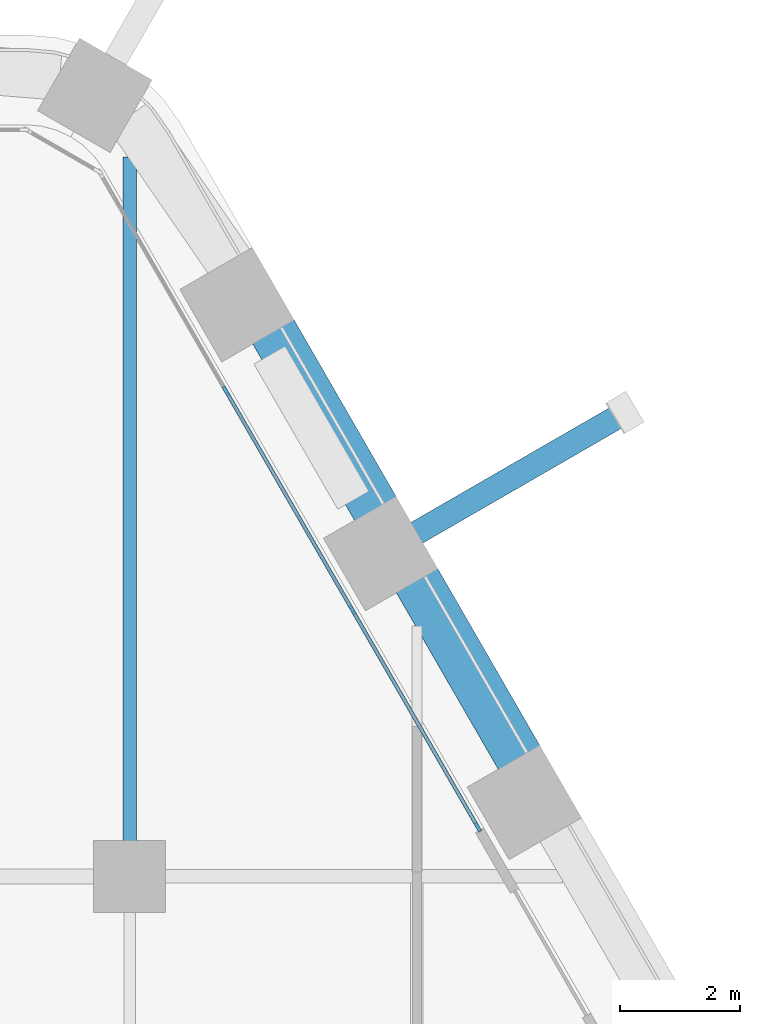
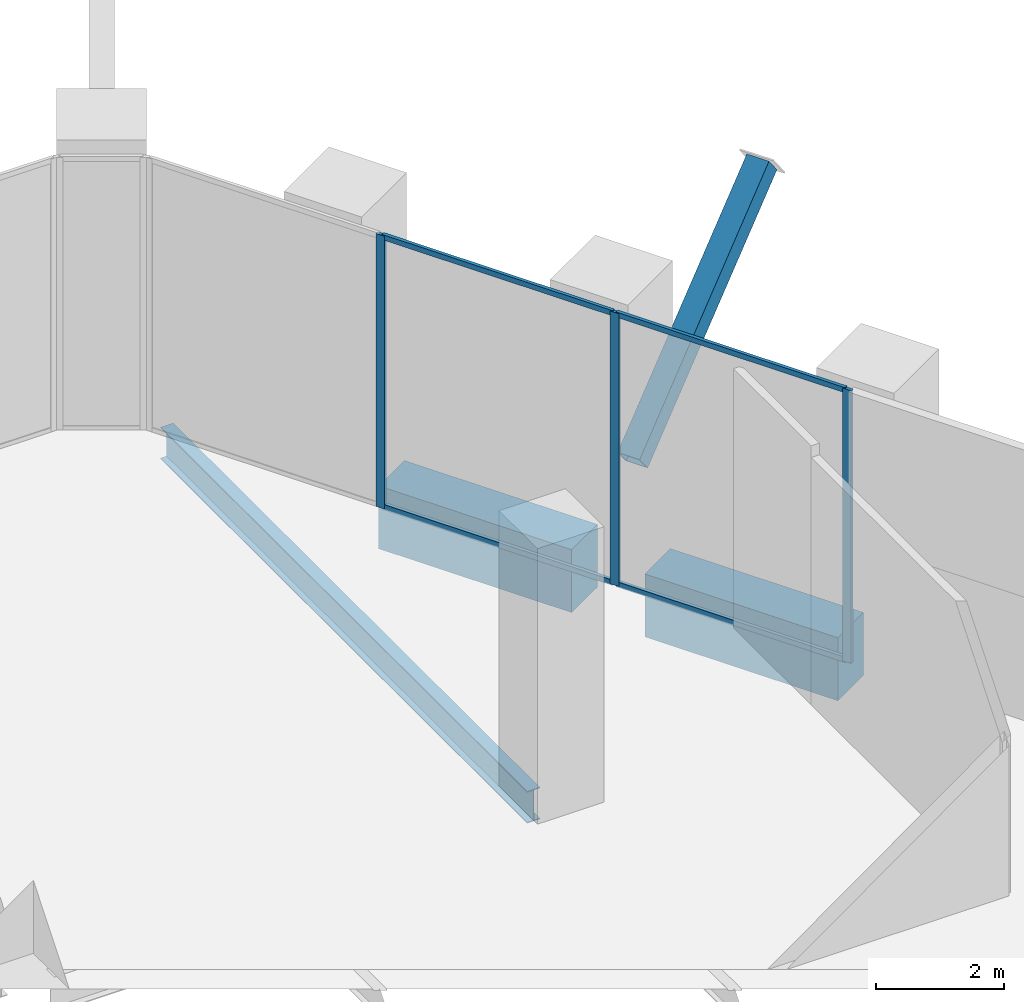
# One storey, part 11 of 29: 8 members, 3 beams, 1 element without a shape of its own.
"""IFC4 building model written with IfcOpenShell, lengths in metres."""

from ifc_helpers import new_model, si_unit, direction, frame, origin, origin_2d, place, context, subcontext, project, spatial, rectangle, hollow_rectangle, i_section, extrude, material, material_profile, profile_set, type_object, element, aggregate, save


model = new_model("IFC4")

# Units and contexts
model_context = context("Model", 3, precision=1e-05, world=origin(), true_north=direction((0.0, 1.0)))
body_context = subcontext(model_context, "Body", "Model", "MODEL_VIEW")
ifc_project = project(units=[si_unit("LENGTHUNIT", "METRE"), si_unit("AREAUNIT", "SQUARE_METRE"), si_unit("VOLUMEUNIT", "CUBIC_METRE"), si_unit("PLANEANGLEUNIT", "RADIAN"), si_unit("MASSUNIT", "GRAM", prefix="KILO")], contexts=[model_context])

# Site, building, storey
site_placement = place(None, origin())
site = spatial("IfcSite", under=ifc_project, at=site_placement, CompositionType="ELEMENT")
building_placement = place(site_placement, origin())
building = spatial("IfcBuilding", under=site, at=building_placement, Name="Kolab Exchange Tower", CompositionType="ELEMENT")
storey_placement = place(building_placement, frame((0.0, 0.0, 55.39990234375)))
storey = spatial("IfcBuildingStorey", under=building, at=storey_placement, Name="L10", CompositionType="ELEMENT", Elevation=55.39990234375)

# Beam
ifc_material_1 = material(Name="Steel S355", Category="steel")
ifc_material_profile_1 = material_profile(ifc_material_1, i_section(OverallWidth=0.22802734375, OverallDepth=0.60791015625, WebThickness=0.01123046875, FlangeThickness=0.017333984375, at=origin_2d()), Name="W610X113")
ifc_profile_set_1 = profile_set([ifc_material_profile_1], Name="Steel S355")
beam_type_1 = type_object("IfcBeamType", Name="FLOOR BEAM W610X113", PredefinedType="BEAM", material=ifc_profile_set_1)
beam_1_placement = place(storey_placement, frame((19.199951171875, 19.760009765625, -0.553955078125), z_axis=(0.0, 1.0, 0.0), x_axis=(-1.0, 0.0, 0.0)))
element("IfcBeam", 1, at=beam_1_placement, inside=storey, type_object=beam_type_1, Name="beam/L10/fr/051", PredefinedType="BEAM", context=body_context, shape_type="SweptSolid", body=[
    extrude(i_section(OverallWidth=0.22802734375, OverallDepth=0.60791015625, WebThickness=0.01123046875, FlangeThickness=0.017333984375, at=origin_2d()), origin(), (0.0, 0.0, 1.0), 11.45458984375),
])

# Member
ifc_material_profile_2 = material_profile(ifc_material_1, hollow_rectangle(XDim=0.39990234375, YDim=0.39990234375, WallThickness=0.02001953125, at=origin_2d()), Name="HSS400X400X20")
ifc_profile_set_2 = profile_set([ifc_material_profile_2], Name="Steel S355")
member_type_1 = type_object("IfcMemberType", Name="LEDGE STRUT HSS400X400X20", PredefinedType="STRUT", material=ifc_profile_set_2)
member_1_placement = place(storey_placement, frame((23.96533203125, 24.92138671875, 1.22802734375), z_axis=(0.675602790468, 0.39005913672, 0.625631472493), x_axis=(-0.499999695987, 0.866025579307, 0.0)))
element("IfcMember", 2, at=member_1_placement, inside=storey, type_object=member_type_1, Name="mem/L10/ledge/strut-1", PredefinedType="STRUT", context=body_context, shape_type="SweptSolid", body=[
    extrude(hollow_rectangle(XDim=0.39990234375, YDim=0.39990234375, WallThickness=0.02001953125, at=origin_2d()), origin(), (0.0, 0.0, 1.0), 5.1787109375),
])

# Beams
ifc_material_2 = material(Name="Concrete C80/95", Category="concrete")
ifc_material_profile_3 = material_profile(ifc_material_2, rectangle(XDim=0.800048828125, YDim=1.199951171875, at=origin_2d()), Name="RC800X1200")
ifc_profile_set_3 = profile_set([ifc_material_profile_3], Name="Concrete C80/95")
beam_type_2 = type_object("IfcBeamType", Name="SPANDREL BEAM 800X1200 C80/95", PredefinedType="BEAM", material=ifc_profile_set_3)
beam_2_placement = place(storey_placement, frame((21.58349609375, 28.326904296875, -0.849853515625), z_axis=(0.499979528911, -0.866037222451, 0.0), x_axis=(0.866037222451, 0.499979528911, 0.0)))
element("IfcBeam", 3, at=beam_2_placement, inside=storey, type_object=beam_type_2, Name="beam/L10/sp/F2-02", PredefinedType="BEAM", context=body_context, shape_type="SweptSolid", body=[
    extrude(rectangle(XDim=0.800048828125, YDim=1.199951171875, at=origin_2d()), origin(), (0.0, 0.0, 1.0), 3.480224609375),
])
beam_3_placement = place(storey_placement, frame((23.983642578125, 24.169921875, -0.849853515625), z_axis=(0.500009906705, -0.86601968407, 0.0), x_axis=(0.86601968407, 0.500009906705, 0.0)))
element("IfcBeam", 4, at=beam_3_placement, inside=storey, type_object=beam_type_2, Name="beam/L10/sp/F2-03", PredefinedType="BEAM", context=body_context, shape_type="SweptSolid", body=[
    extrude(rectangle(XDim=0.800048828125, YDim=1.199951171875, at=origin_2d()), origin(), (0.0, 0.0, 1.0), 3.47998046875),
])

# Curtain wall, members
ifc_material_3 = material(Name="Aluminium EN AW-6063 T6", Category="aluminium")
curtain_wall_type = type_object("IfcCurtainWallType", Name="UNITISED LOW ZONE CURTAIN WALL", PredefinedType="NOTDEFINED", material=ifc_material_3)
curtain_wall_placement = place(storey_placement, origin())
curtain_wall = element("IfcCurtainWall", 5, at=curtain_wall_placement, inside=storey, type_object=curtain_wall_type, Name="cw/L10/F2-1", PredefinedType="NOTDEFINED")
ifc_material_profile_4 = material_profile(ifc_material_3, rectangle(XDim=0.06005859375, YDim=0.159912109375, at=origin_2d()), Name="RECT 60X160")
ifc_profile_set_4 = profile_set([ifc_material_profile_4], Name="Aluminium EN AW-6063 T6")
member_type_2 = type_object("IfcMemberType", Name="UNITISED LOW ZONE MULLION 60 X 160", PredefinedType="MULLION", material=ifc_profile_set_4)
member_2_placement = place(storey_placement, frame((20.80908203125, 27.308349609375, 0.0), z_axis=(0.0, 0.0, 1.0), x_axis=(0.866025393644, 0.500000017564, 0.0)))
member_2 = element("IfcMember", 6, at=member_2_placement, type_object=member_type_2, Name="CW1 mullion 2", PredefinedType="MULLION", context=body_context, shape_type="SweptSolid", body=[
    extrude(rectangle(XDim=0.06005859375, YDim=0.159912109375, at=origin_2d()), origin(), (0.0, 0.0, 1.0), 5.2001953125),
])
member_3_placement = place(storey_placement, frame((22.92041015625, 23.651611328125, 0.0), z_axis=(0.0, 0.0, 1.0), x_axis=(0.866025393644, 0.500000017564, 0.0)))
member_3 = element("IfcMember", 7, at=member_3_placement, type_object=member_type_2, Name="CW1 mullion 3", PredefinedType="MULLION", context=body_context, shape_type="SweptSolid", body=[
    extrude(rectangle(XDim=0.06005859375, YDim=0.159912109375, at=origin_2d()), origin(), (0.0, 0.0, 1.0), 5.2001953125),
])
member_4_placement = place(storey_placement, frame((25.0166015625, 20.0205078125, 0.0), z_axis=(0.0, 0.0, 1.0), x_axis=(0.866025393644, 0.500000017564, 0.0)))
member_4 = element("IfcMember", 8, at=member_4_placement, type_object=member_type_2, Name="CW1 mullion 4", PredefinedType="MULLION", context=body_context, shape_type="SweptSolid", body=[
    extrude(rectangle(XDim=0.06005859375, YDim=0.159912109375, at=origin_2d()), origin(), (0.0, 0.0, 1.0), 5.2001953125),
])
ifc_material_profile_5 = material_profile(ifc_material_3, rectangle(XDim=0.06005859375, YDim=0.10009765625, at=origin_2d()), Name="RECT 60X100")
ifc_profile_set_5 = profile_set([ifc_material_profile_5], Name="Aluminium EN AW-6063 T6")
member_type_3 = type_object("IfcMemberType", Name="UNITISED LOW ZONE TRANSOM 60 X 100", PredefinedType="USERDEFINED", material=ifc_profile_set_5)
member_5_placement = place(storey_placement, frame((20.823974609375, 27.282470703125, 0.030029296875), z_axis=(0.49999322259, -0.866029316688, 0.0), x_axis=(0.866029316688, 0.49999322259, 0.0)))
member_5 = element("IfcMember", 9, at=member_5_placement, type_object=member_type_3, Name="CW1 transom 2.1", ObjectType="TRANSOM", PredefinedType="USERDEFINED", context=body_context, shape_type="SweptSolid", body=[
    extrude(rectangle(XDim=0.06005859375, YDim=0.10009765625, at=origin_2d()), origin(), (0.0, 0.0, 1.0), 4.16259765625),
])
member_6_placement = place(storey_placement, frame((20.823974609375, 27.282470703125, 5.170166015625), z_axis=(0.49999322259, -0.866029316688, 0.0), x_axis=(0.866029316688, 0.49999322259, 0.0)))
member_6 = element("IfcMember", 10, at=member_6_placement, type_object=member_type_3, Name="CW1 transom 2.2", ObjectType="TRANSOM", PredefinedType="USERDEFINED", context=body_context, shape_type="SweptSolid", body=[
    extrude(rectangle(XDim=0.06005859375, YDim=0.10009765625, at=origin_2d()), origin(), (0.0, 0.0, 1.0), 4.16259765625),
])
member_7_placement = place(storey_placement, frame((22.935302734375, 23.62548828125, 0.030029296875), z_axis=(0.500027577057, -0.866009481578, 0.0), x_axis=(0.866009481578, 0.500027577057, 0.0)))
member_7 = element("IfcMember", 11, at=member_7_placement, type_object=member_type_3, Name="CW1 transom 3.1", ObjectType="TRANSOM", PredefinedType="USERDEFINED", context=body_context, shape_type="SweptSolid", body=[
    extrude(rectangle(XDim=0.06005859375, YDim=0.10009765625, at=origin_2d()), origin(), (0.0, 0.0, 1.0), 4.132568359375),
])
member_8_placement = place(storey_placement, frame((22.935302734375, 23.62548828125, 5.170166015625), z_axis=(0.500027577057, -0.866009481578, 0.0), x_axis=(0.866009481578, 0.500027577057, 0.0)))
member_8 = element("IfcMember", 12, at=member_8_placement, type_object=member_type_3, Name="CW1 transom 3.2", ObjectType="TRANSOM", PredefinedType="USERDEFINED", context=body_context, shape_type="SweptSolid", body=[
    extrude(rectangle(XDim=0.06005859375, YDim=0.10009765625, at=origin_2d()), origin(), (0.0, 0.0, 1.0), 4.132568359375),
])
aggregate(curtain_wall, [member_2, member_3, member_4, member_5, member_6, member_7, member_8])

save(model, "model.ifc")
